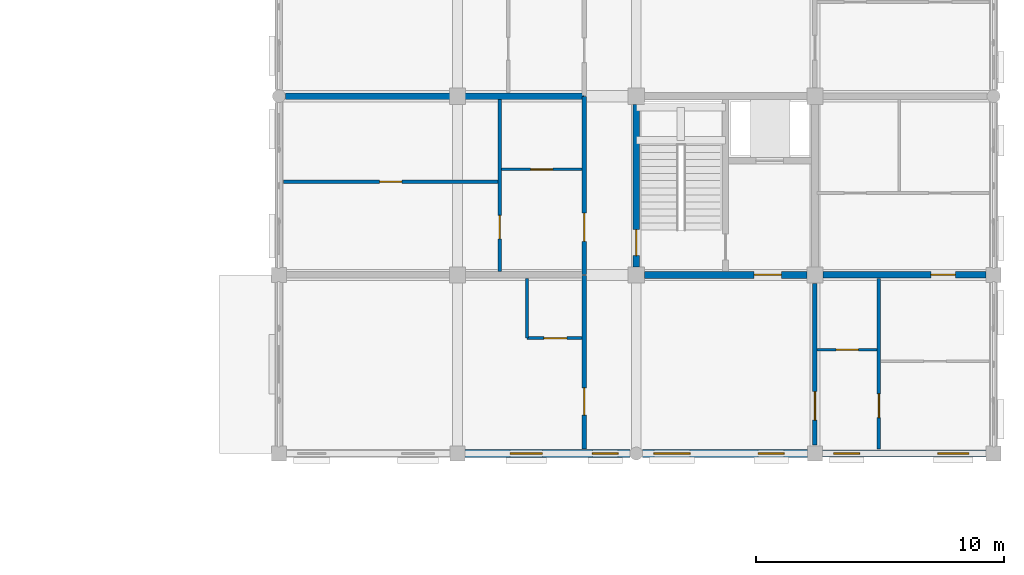
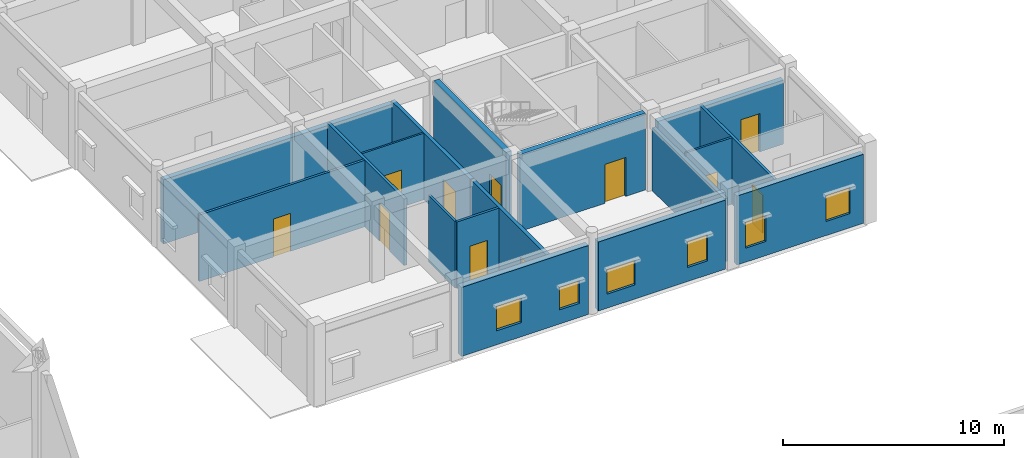
# One storey, part 110 of 138: 17 walls, 12 doors, 6 windows, 18 openings.
"""IFC4 building model written with IfcOpenShell, lengths in metres."""

from ifc_helpers import new_model, si_unit, direction, frame, frame_2d, origin, place, context, subcontext, project, spatial, rectangle, extrude, material, layer, layer_set, type_object, element, fill, save


model = new_model("IFC4")

# Units and contexts
model_context = context("Model", 3, precision=1e-05, world=origin(), true_north=direction((0.0, 1.0)))
body_context = subcontext(model_context, "Body", "Model", "MODEL_VIEW")
ifc_project = project(units=[si_unit("LENGTHUNIT", "METRE"), si_unit("AREAUNIT", "SQUARE_METRE"), si_unit("VOLUMEUNIT", "CUBIC_METRE"), si_unit("PLANEANGLEUNIT", "RADIAN"), si_unit("MASSUNIT", "GRAM", prefix="KILO"), si_unit("THERMODYNAMICTEMPERATUREUNIT", "KELVIN"), si_unit("POWERUNIT", "WATT")], contexts=[model_context])

# Site, building, storey
site_placement = place(None, origin())
site = spatial("IfcSite", under=ifc_project, at=site_placement, CompositionType="ELEMENT")
building_placement = place(site_placement, origin())
building = spatial("IfcBuilding", under=site, at=building_placement, Name="Tavuni Mirador Residences", CompositionType="ELEMENT")
storey_placement = place(building_placement, origin())
storey = spatial("IfcBuildingStorey", under=building, at=storey_placement, Name="L00", CompositionType="ELEMENT", Elevation=0.0)

# Wall, opening, door
ifc_material_1 = material(Name="Precast concrete C40/50", Category="concrete")
ifc_layer_1 = layer(ifc_material_1, 0.280029296875, Name="Precast concrete C40/50", Category="concrete")
ifc_layer_set_1 = layer_set([ifc_layer_1], Name="Precast concrete C40/50")
wall_type_1 = type_object("IfcWallType", Name="WT-COR280", PredefinedType="SHEAR", material=ifc_layer_set_1)
wall_1_placement = place(storey_placement, frame((104.39990234375, 93.925048828125, 0.0), z_axis=(0.0, 0.0, 1.0), x_axis=(0.0, 1.0, 0.0)))
wall_1 = element("IfcWall", 1, at=wall_1_placement, inside=storey, type_object=wall_type_1, Name="CWALL-C7-L00-W", PredefinedType="SHEAR", context=body_context, shape_type="SweptSolid", body=[
    extrude(rectangle(XDim=6.550048828125, YDim=0.280029296875, at=frame_2d((3.27490234375, 0.0))), origin(), (0.0, 0.0, 1.0), 4.239990234375),
])
opening_1_placement = place(wall_1_placement, frame((0.449951171875, 0.0, 0.0)))
opening_1 = element("IfcOpeningElement", 2, at=opening_1_placement, cuts=wall_1, Name="Opening D-01", PredefinedType="OPENING", context=body_context, shape_type="SweptSolid", body=[
    extrude(rectangle(XDim=1.050048828125, YDim=2.14990234375, at=frame_2d((0.52490234375, 1.074951171875))), frame((0.0, 0.14990234375, 0.0), z_axis=(0.0, -1.0, 0.0), x_axis=(1.0, 0.0, 0.0)), (0.0, 0.0, 1.0), 0.300048828125),
])
ifc_material_2 = material(Name="Solid core iroko timber", Category="wood")
door_type_1 = type_object("IfcDoorType", Name="DT-ST1050", OperationType="NOTDEFINED", PredefinedType="DOOR", material=ifc_material_2)
door_1_placement = place(opening_1_placement, origin())
door_1 = element("IfcDoor", 3, at=door_1_placement, inside=storey, type_object=door_type_1, Name="DR-2265", OperationType="SINGLE_SWING_RIGHT", OverallHeight=2.14990234375, OverallWidth=1.050048828125, PredefinedType="DOOR", context=body_context, shape_type="SweptSolid", body=[
    extrude(rectangle(XDim=1.050048828125, YDim=2.14990234375, at=frame_2d((0.52490234375, 1.074951171875))), frame((0.0, 0.02490234375, 0.0), z_axis=(0.0, -1.0, 0.0), x_axis=(1.0, 0.0, 0.0)), (0.0, 0.0, 1.0), 0.050048828125),
])
fill(opening_1, door_1)

wall_2_placement = place(storey_placement, frame((104.72509765625, 93.60009765625, 0.0), z_axis=(0.0, 0.0, 1.0), x_axis=(1.0, 0.0, 0.0)))
wall_2 = element("IfcWall", 4, at=wall_2_placement, inside=storey, type_object=wall_type_1, Name="CWALL-C7-L00-SS", PredefinedType="SHEAR", context=body_context, shape_type="SweptSolid", body=[
    extrude(rectangle(XDim=6.5498046875, YDim=0.280029296875, at=frame_2d((3.27490234375, 0.0))), origin(), (0.0, 0.0, 1.0), 4.239990234375),
])
opening_2_placement = place(wall_2_placement, frame((4.425048828125, 0.0, 0.0)))
opening_2 = element("IfcOpeningElement", 5, at=opening_2_placement, cuts=wall_2, Name="Opening D-02", PredefinedType="OPENING", context=body_context, shape_type="SweptSolid", body=[
    extrude(rectangle(XDim=1.10009765625, YDim=2.14990234375, at=frame_2d((0.550048828125, 1.074951171875))), frame((0.0, 0.14990234375, 0.0), z_axis=(0.0, -1.0, 0.0), x_axis=(1.0, 0.0, 0.0)), (0.0, 0.0, 1.0), 0.300048828125),
])
door_type_2 = type_object("IfcDoorType", Name="DT-LOB1100", OperationType="NOTDEFINED", PredefinedType="DOOR", material=ifc_material_2)
door_2_placement = place(opening_2_placement, frame((1.10009765625, 0.0, 0.0), z_axis=(0.0, 0.0, 1.0), x_axis=(-1.0, 0.0, 0.0)))
door_2 = element("IfcDoor", 6, at=door_2_placement, inside=storey, type_object=door_type_2, Name="DR-2266", OperationType="SINGLE_SWING_RIGHT", OverallHeight=2.14990234375, OverallWidth=1.10009765625, PredefinedType="DOOR", context=body_context, shape_type="SweptSolid", body=[
    extrude(rectangle(XDim=1.10009765625, YDim=2.14990234375, at=frame_2d((0.550048828125, 1.074951171875))), frame((0.0, 0.02490234375, 0.0), z_axis=(0.0, -1.0, 0.0), x_axis=(1.0, 0.0, 0.0)), (0.0, 0.0, 1.0), 0.050048828125),
])
fill(opening_2, door_2)

ifc_layer_2 = layer(ifc_material_1, 0.18505859375, Name="Precast concrete C40/50", Category="concrete")
ifc_layer_set_2 = layer_set([ifc_layer_2], Name="Precast concrete C40/50")
wall_type_2 = type_object("IfcWallType", Name="WT-CORR185", PredefinedType="PARTITIONING", material=ifc_layer_set_2)
wall_3_placement = place(storey_placement, frame((102.300048828125, 86.574951171875, 0.0), z_axis=(0.0, 0.0, 1.0), x_axis=(0.0, 1.0, 0.0)))
wall_3 = element("IfcWall", 7, at=wall_3_placement, inside=storey, type_object=wall_type_2, Name="CORW-BLK-D-L00-0-00", PredefinedType="PARTITIONING", context=body_context, shape_type="SweptSolid", body=[
    extrude(rectangle(XDim=7.005126953125, YDim=0.18505859375, at=frame_2d((3.50244140625, 0.0))), origin(), (0.0, 0.0, 1.0), 3.675048828125),
])
opening_3_placement = place(wall_3_placement, frame((1.375, 0.0, 0.0)))
opening_3 = element("IfcOpeningElement", 8, at=opening_3_placement, cuts=wall_3, Name="Opening D-02", PredefinedType="OPENING", context=body_context, shape_type="SweptSolid", body=[
    extrude(rectangle(XDim=1.10009765625, YDim=2.14990234375, at=frame_2d((0.550048828125, 1.074951171875))), frame((0.0, 0.1025390625, 0.0), z_axis=(0.0, -1.0, 0.0), x_axis=(1.0, 0.0, 0.0)), (0.0, 0.0, 1.0), 0.205078125),
])
door_3_placement = place(opening_3_placement, origin())
door_3 = element("IfcDoor", 9, at=door_3_placement, inside=storey, type_object=door_type_2, Name="DR-2809", OperationType="SINGLE_SWING_RIGHT", OverallHeight=2.14990234375, OverallWidth=1.10009765625, PredefinedType="DOOR", context=body_context, shape_type="SweptSolid", body=[
    extrude(rectangle(XDim=1.10009765625, YDim=2.14990234375, at=frame_2d((0.550048828125, 1.074951171875))), frame((0.0, 0.02490234375, 0.0), z_axis=(0.0, -1.0, 0.0), x_axis=(1.0, 0.0, 0.0)), (0.0, 0.0, 1.0), 0.050048828125),
])
fill(opening_3, door_3)

wall_4_placement = place(storey_placement, frame((102.300048828125, 93.6201171875, 0.0), z_axis=(0.0, 0.0, 1.0), x_axis=(0.0, 1.0, 0.0)))
wall_4 = element("IfcWall", 10, at=wall_4_placement, inside=storey, type_object=wall_type_2, Name="CORW-BLK-D-L00-0-01", PredefinedType="PARTITIONING", context=body_context, shape_type="SweptSolid", body=[
    extrude(rectangle(XDim=7.159912109375, YDim=0.18505859375, at=frame_2d((3.580078125, 0.0))), origin(), (0.0, 0.0, 1.0), 3.675048828125),
])
opening_4_placement = place(wall_4_placement, frame((1.330078125, 0.0, 0.0)))
opening_4 = element("IfcOpeningElement", 11, at=opening_4_placement, cuts=wall_4, Name="Opening D-20", PredefinedType="OPENING", context=body_context, shape_type="SweptSolid", body=[
    extrude(rectangle(XDim=1.139892578125, YDim=2.179931640625, at=frame_2d((0.56982421875, 1.08984375))), frame((0.0, 0.1025390625, 0.0), z_axis=(0.0, -1.0, 0.0), x_axis=(1.0, 0.0, 0.0)), (0.0, 0.0, 1.0), 0.205078125),
])
door_type_3 = type_object("IfcDoorType", Name="DT-FD60-1140", OperationType="NOTDEFINED", PredefinedType="DOOR", material=ifc_material_2)
door_4_placement = place(opening_4_placement, origin())
door_4 = element("IfcDoor", 12, at=door_4_placement, inside=storey, type_object=door_type_3, Name="DR-2810", OperationType="SINGLE_SWING_LEFT", OverallHeight=2.179931640625, OverallWidth=1.139892578125, PredefinedType="DOOR", context=body_context, shape_type="SweptSolid", body=[
    extrude(rectangle(XDim=1.139892578125, YDim=2.179931640625, at=frame_2d((0.56982421875, 1.08984375))), frame((0.0, 0.02490234375, 0.0), z_axis=(0.0, -1.0, 0.0), x_axis=(1.0, 0.0, 0.0)), (0.0, 0.0, 1.0), 0.050048828125),
])
fill(opening_4, door_4)

wall_5_placement = place(storey_placement, frame((111.60009765625, 86.75, 0.0), z_axis=(0.0, 0.0, 1.0), x_axis=(0.0, 1.0, 0.0)))
wall_5 = element("IfcWall", 13, at=wall_5_placement, inside=storey, type_object=wall_type_2, Name="CORW-BLK-D-L00-1-00", PredefinedType="PARTITIONING", context=body_context, shape_type="SweptSolid", body=[
    extrude(rectangle(XDim=6.5, YDim=0.18505859375, at=frame_2d((3.25, 0.0))), origin(), (0.0, 0.0, 1.0), 3.489990234375),
])
opening_5_placement = place(wall_5_placement, frame((1.0, 0.0, 0.0)))
opening_5 = element("IfcOpeningElement", 14, at=opening_5_placement, cuts=wall_5, Name="Opening D-20", PredefinedType="OPENING", context=body_context, shape_type="SweptSolid", body=[
    extrude(rectangle(XDim=1.139892578125, YDim=2.179931640625, at=frame_2d((0.56982421875, 1.08984375))), frame((0.0, 0.1025390625, 0.0), z_axis=(0.0, -1.0, 0.0), x_axis=(1.0, 0.0, 0.0)), (0.0, 0.0, 1.0), 0.205078125),
])
door_5_placement = place(opening_5_placement, origin())
door_5 = element("IfcDoor", 15, at=door_5_placement, inside=storey, type_object=door_type_3, Name="DR-2816", OperationType="SINGLE_SWING_LEFT", OverallHeight=2.179931640625, OverallWidth=1.139892578125, PredefinedType="DOOR", context=body_context, shape_type="SweptSolid", body=[
    extrude(rectangle(XDim=1.139892578125, YDim=2.179931640625, at=frame_2d((0.56982421875, 1.08984375))), frame((0.0, 0.02490234375, 0.0), z_axis=(0.0, -1.0, 0.0), x_axis=(1.0, 0.0, 0.0)), (0.0, 0.0, 1.0), 0.050048828125),
])
fill(opening_5, door_5)

# Wall, openings, windows
ifc_material_3 = material(Name="Sgraffito lime-rendered precast concrete C40/50", Category="concrete")
ifc_layer_3 = layer(ifc_material_3, 0.2900390625, Name="Sgraffito lime-rendered precast concrete C40/50", Category="concrete")
ifc_layer_set_3 = layer_set([ifc_layer_3], Name="Sgraffito lime-rendered precast concrete C40/50")
wall_type_3 = type_object("IfcWallType", Name="WT-EXT-PC290", PredefinedType="SOLIDWALL", material=ifc_layer_set_3)
wall_6_placement = place(storey_placement, frame((111.89990234375, 86.39990234375, 0.0), z_axis=(0.0, 0.0, 1.0), x_axis=(1.0, 0.0, 0.0)))
wall_6 = element("IfcWall", 16, at=wall_6_placement, inside=storey, type_object=wall_type_3, Name="EW-BLK-D-L00-S03", PredefinedType="SOLIDWALL", context=body_context, shape_type="SweptSolid", body=[
    extrude(rectangle(XDim=6.60009765625, YDim=0.2900390625, at=frame_2d((3.300048828125, 0.0))), origin(), (0.0, 0.0, 1.0), 3.81005859375),
])
opening_6_placement = place(wall_6_placement, frame((0.449951171875, 0.0, 0.780029296875)))
opening_6 = element("IfcOpeningElement", 17, at=opening_6_placement, cuts=wall_6, Name="Opening WN-26", PredefinedType="OPENING", context=body_context, shape_type="SweptSolid", body=[
    extrude(rectangle(XDim=1.050048828125, YDim=1.43994140625, at=frame_2d((0.52490234375, 0.719970703125))), frame((0.0, 0.155029296875, 0.0), z_axis=(0.0, -1.0, 0.0), x_axis=(1.0, 0.0, 0.0)), (0.0, 0.0, 1.0), 0.31005859375),
])
opening_7_placement = place(wall_6_placement, frame((4.64990234375, 0.0, 0.780029296875)))
opening_7 = element("IfcOpeningElement", 18, at=opening_7_placement, cuts=wall_6, Name="Opening WN-28", PredefinedType="OPENING", context=body_context, shape_type="SweptSolid", body=[
    extrude(rectangle(XDim=1.25, YDim=1.43994140625, at=frame_2d((0.625, 0.719970703125))), frame((0.0, 0.155029296875, 0.0), z_axis=(0.0, -1.0, 0.0), x_axis=(1.0, 0.0, 0.0)), (0.0, 0.0, 1.0), 0.31005859375),
])
ifc_material_4 = material(Name="Laminated solar-control glass", Category="glass")
window_type_1 = type_object("IfcWindowType", Name="WNT-26", PartitioningType="SINGLE_PANEL", PredefinedType="WINDOW", material=ifc_material_4)
window_1_placement = place(opening_6_placement, origin())
window_1 = element("IfcWindow", 19, at=window_1_placement, inside=storey, type_object=window_type_1, Name="WIN-1405", OverallHeight=1.43994140625, OverallWidth=1.050048828125, PartitioningType="SINGLE_PANEL", PredefinedType="WINDOW", context=body_context, shape_type="SweptSolid", body=[
    extrude(rectangle(XDim=1.050048828125, YDim=1.43994140625, at=frame_2d((0.52490234375, 0.719970703125))), frame((0.0, 0.030029296875, 0.0), z_axis=(0.0, -1.0, 0.0), x_axis=(1.0, 0.0, 0.0)), (0.0, 0.0, 1.0), 0.06005859375),
])
fill(opening_6, window_1)
window_type_2 = type_object("IfcWindowType", Name="WNT-28", PartitioningType="SINGLE_PANEL", PredefinedType="WINDOW", material=ifc_material_4)
window_2_placement = place(opening_7_placement, origin())
window_2 = element("IfcWindow", 20, at=window_2_placement, inside=storey, type_object=window_type_2, Name="WIN-1406", OverallHeight=1.43994140625, OverallWidth=1.25, PartitioningType="SINGLE_PANEL", PredefinedType="WINDOW", context=body_context, shape_type="SweptSolid", body=[
    extrude(rectangle(XDim=1.25, YDim=1.43994140625, at=frame_2d((0.625, 0.719970703125))), frame((0.0, 0.030029296875, 0.0), z_axis=(0.0, -1.0, 0.0), x_axis=(1.0, 0.0, 0.0)), (0.0, 0.0, 1.0), 0.06005859375),
])
fill(opening_7, window_2)

ifc_layer_4 = layer(ifc_material_3, 0.304931640625, Name="Sgraffito lime-rendered precast concrete C40/50", Category="concrete")
ifc_layer_set_4 = layer_set([ifc_layer_4], Name="Sgraffito lime-rendered precast concrete C40/50")
wall_type_4 = type_object("IfcWallType", Name="WT-EXT-PC305", PredefinedType="SOLIDWALL", material=ifc_layer_set_4)
wall_7_placement = place(storey_placement, frame((104.659912109375, 86.39990234375, 0.0), z_axis=(0.0, 0.0, 1.0), x_axis=(1.0, 0.0, 0.0)))
wall_7 = element("IfcWall", 21, at=wall_7_placement, inside=storey, type_object=wall_type_4, Name="EW-BLK-D-L00-S02", PredefinedType="SOLIDWALL", context=body_context, shape_type="SweptSolid", body=[
    extrude(rectangle(XDim=6.64013671875, YDim=0.304931640625, at=frame_2d((3.320068359375, 0.0))), origin(), (0.0, 0.0, 1.0), 3.81005859375),
])
opening_8_placement = place(wall_7_placement, frame((0.449951171875, 0.0, 0.780029296875)))
opening_8 = element("IfcOpeningElement", 22, at=opening_8_placement, cuts=wall_7, Name="Opening WN-24", PredefinedType="OPENING", context=body_context, shape_type="SweptSolid", body=[
    extrude(rectangle(XDim=1.4599609375, YDim=1.360107421875, at=frame_2d((0.72998046875, 0.68017578125))), frame((0.0, 0.16259765625, 0.0), z_axis=(0.0, -1.0, 0.0), x_axis=(1.0, 0.0, 0.0)), (0.0, 0.0, 1.0), 0.324951171875),
])
opening_9_placement = place(wall_7_placement, frame((4.64990234375, 0.0, 0.780029296875)))
opening_9 = element("IfcOpeningElement", 23, at=opening_9_placement, cuts=wall_7, Name="Opening WN-26", PredefinedType="OPENING", context=body_context, shape_type="SweptSolid", body=[
    extrude(rectangle(XDim=1.050048828125, YDim=1.43994140625, at=frame_2d((0.52490234375, 0.719970703125))), frame((0.0, 0.16259765625, 0.0), z_axis=(0.0, -1.0, 0.0), x_axis=(1.0, 0.0, 0.0)), (0.0, 0.0, 1.0), 0.324951171875),
])
window_type_3 = type_object("IfcWindowType", Name="WNT-24", PartitioningType="SINGLE_PANEL", PredefinedType="WINDOW", material=ifc_material_4)
window_3_placement = place(opening_8_placement, origin())
window_3 = element("IfcWindow", 24, at=window_3_placement, inside=storey, type_object=window_type_3, Name="WIN-1403", OverallHeight=1.360107421875, OverallWidth=1.4599609375, PartitioningType="SINGLE_PANEL", PredefinedType="WINDOW", context=body_context, shape_type="SweptSolid", body=[
    extrude(rectangle(XDim=1.4599609375, YDim=1.360107421875, at=frame_2d((0.72998046875, 0.68017578125))), frame((0.0, 0.030029296875, 0.0), z_axis=(0.0, -1.0, 0.0), x_axis=(1.0, 0.0, 0.0)), (0.0, 0.0, 1.0), 0.06005859375),
])
fill(opening_8, window_3)
window_4_placement = place(opening_9_placement, origin())
window_4 = element("IfcWindow", 25, at=window_4_placement, inside=storey, type_object=window_type_1, Name="WIN-1404", OverallHeight=1.43994140625, OverallWidth=1.050048828125, PartitioningType="SINGLE_PANEL", PredefinedType="WINDOW", context=body_context, shape_type="SweptSolid", body=[
    extrude(rectangle(XDim=1.050048828125, YDim=1.43994140625, at=frame_2d((0.52490234375, 0.719970703125))), frame((0.0, 0.030029296875, 0.0), z_axis=(0.0, -1.0, 0.0), x_axis=(1.0, 0.0, 0.0)), (0.0, 0.0, 1.0), 0.06005859375),
])
fill(opening_9, window_4)

ifc_layer_5 = layer(ifc_material_3, 0.31494140625, Name="Sgraffito lime-rendered precast concrete C40/50", Category="concrete")
ifc_layer_set_5 = layer_set([ifc_layer_5], Name="Sgraffito lime-rendered precast concrete C40/50")
wall_type_5 = type_object("IfcWallType", Name="WT-EXT-PC315", PredefinedType="SOLIDWALL", material=ifc_layer_set_5)
wall_8_placement = place(storey_placement, frame((97.5, 86.39990234375, 0.0), z_axis=(0.0, 0.0, 1.0), x_axis=(1.0, 0.0, 0.0)))
wall_8 = element("IfcWall", 26, at=wall_8_placement, inside=storey, type_object=wall_type_5, Name="EW-BLK-D-L00-S01", PredefinedType="SOLIDWALL", context=body_context, shape_type="SweptSolid", body=[
    extrude(rectangle(XDim=6.639892578125, YDim=0.31494140625, at=frame_2d((3.31982421875, 0.0))), origin(), (0.0, 0.0, 1.0), 3.81005859375),
])
opening_10_placement = place(wall_8_placement, frame((1.820068359375, 0.0, 0.780029296875)))
opening_10 = element("IfcOpeningElement", 27, at=opening_10_placement, cuts=wall_8, Name="Opening WN-22", PredefinedType="OPENING", context=body_context, shape_type="SweptSolid", body=[
    extrude(rectangle(XDim=1.300048828125, YDim=1.360107421875, at=frame_2d((0.64990234375, 0.68017578125))), frame((0.0, 0.16748046875, 0.0), z_axis=(0.0, -1.0, 0.0), x_axis=(1.0, 0.0, 0.0)), (0.0, 0.0, 1.0), 0.3349609375),
])
opening_11_placement = place(wall_8_placement, frame((5.1298828125, 0.0, 0.780029296875)))
opening_11 = element("IfcOpeningElement", 28, at=opening_11_placement, cuts=wall_8, Name="Opening WN-11", PredefinedType="OPENING", context=body_context, shape_type="SweptSolid", body=[
    extrude(rectangle(XDim=1.0400390625, YDim=1.260009765625, at=frame_2d((0.52001953125, 0.6298828125))), frame((0.0, 0.16748046875, 0.0), z_axis=(0.0, -1.0, 0.0), x_axis=(1.0, 0.0, 0.0)), (0.0, 0.0, 1.0), 0.3349609375),
])
window_type_4 = type_object("IfcWindowType", Name="WNT-11", PartitioningType="SINGLE_PANEL", PredefinedType="WINDOW", material=ifc_material_4)
window_5_placement = place(opening_11_placement, origin())
window_5 = element("IfcWindow", 29, at=window_5_placement, inside=storey, type_object=window_type_4, Name="WIN-1402", OverallHeight=1.260009765625, OverallWidth=1.0400390625, PartitioningType="SINGLE_PANEL", PredefinedType="WINDOW", context=body_context, shape_type="SweptSolid", body=[
    extrude(rectangle(XDim=1.0400390625, YDim=1.260009765625, at=frame_2d((0.52001953125, 0.6298828125))), frame((0.0, 0.030029296875, 0.0), z_axis=(0.0, -1.0, 0.0), x_axis=(1.0, 0.0, 0.0)), (0.0, 0.0, 1.0), 0.06005859375),
])
fill(opening_11, window_5)
window_type_5 = type_object("IfcWindowType", Name="WNT-22", PartitioningType="SINGLE_PANEL", PredefinedType="WINDOW", material=ifc_material_4)
window_6_placement = place(opening_10_placement, origin())
window_6 = element("IfcWindow", 30, at=window_6_placement, inside=storey, type_object=window_type_5, Name="WIN-1401", OverallHeight=1.360107421875, OverallWidth=1.300048828125, PartitioningType="SINGLE_PANEL", PredefinedType="WINDOW", context=body_context, shape_type="SweptSolid", body=[
    extrude(rectangle(XDim=1.300048828125, YDim=1.360107421875, at=frame_2d((0.64990234375, 0.68017578125))), frame((0.0, 0.030029296875, 0.0), z_axis=(0.0, -1.0, 0.0), x_axis=(1.0, 0.0, 0.0)), (0.0, 0.0, 1.0), 0.06005859375),
])
fill(opening_10, window_6)

# Wall, opening, door
ifc_material_5 = material(Name="Acoustic gypsum and concrete block partition", Category="concrete")
ifc_layer_6 = layer(ifc_material_5, 0.094970703125, Name="Acoustic gypsum and concrete block partition", Category="concrete")
ifc_layer_set_6 = layer_set([ifc_layer_6], Name="Acoustic gypsum and concrete block partition")
wall_type_6 = type_object("IfcWallType", Name="WT-PART095", PredefinedType="PARTITIONING", material=ifc_layer_set_6)
wall_9_placement = place(storey_placement, frame((98.969970703125, 97.85009765625, 0.0), z_axis=(0.0, 0.0, 1.0), x_axis=(1.0, 0.0, 0.0)))
wall_9 = element("IfcWall", 31, at=wall_9_placement, inside=storey, type_object=wall_type_6, Name="PW-BLK-D-L00-W01-IN1", PredefinedType="PARTITIONING", context=body_context, shape_type="SweptSolid", body=[
    extrude(rectangle(XDim=3.239990234375, YDim=0.094970703125, at=frame_2d((1.6201171875, 0.0))), origin(), (0.0, 0.0, 1.0), 3.675048828125),
])
opening_12_placement = place(wall_9_placement, frame((1.169921875, 0.0, 0.0)))
opening_12 = element("IfcOpeningElement", 32, at=opening_12_placement, cuts=wall_9, Name="Opening D-09", PredefinedType="OPENING", context=body_context, shape_type="SweptSolid", body=[
    extrude(rectangle(XDim=0.89990234375, YDim=2.050048828125, at=frame_2d((0.449951171875, 1.02490234375))), frame((0.0, 0.0576171875, 0.0), z_axis=(0.0, -1.0, 0.0), x_axis=(1.0, 0.0, 0.0)), (0.0, 0.0, 1.0), 0.114990234375),
])
door_type_4 = type_object("IfcDoorType", Name="DT-WC900", OperationType="NOTDEFINED", PredefinedType="DOOR", material=ifc_material_2)
door_6_placement = place(opening_12_placement, origin())
door_6 = element("IfcDoor", 33, at=door_6_placement, inside=storey, type_object=door_type_4, Name="DR-4285", OperationType="SINGLE_SWING_RIGHT", OverallHeight=2.050048828125, OverallWidth=0.89990234375, PredefinedType="DOOR", context=body_context, shape_type="SweptSolid", body=[
    extrude(rectangle(XDim=0.89990234375, YDim=2.050048828125, at=frame_2d((0.449951171875, 1.02490234375))), frame((0.0, 0.02490234375, 0.0), z_axis=(0.0, -1.0, 0.0), x_axis=(1.0, 0.0, 0.0)), (0.0, 0.0, 1.0), 0.050048828125),
])
fill(opening_12, door_6)

ifc_layer_7 = layer(ifc_material_5, 0.10498046875, Name="Acoustic gypsum and concrete block partition", Category="concrete")
ifc_layer_set_7 = layer_set([ifc_layer_7], Name="Acoustic gypsum and concrete block partition")
wall_type_7 = type_object("IfcWallType", Name="WT-PART105", PredefinedType="PARTITIONING", material=ifc_layer_set_7)
wall_10_placement = place(storey_placement, frame((111.68994140625, 90.580078125, 0.0), z_axis=(0.0, 0.0, 1.0), x_axis=(1.0, 0.0, 0.0)))
wall_10 = element("IfcWall", 34, at=wall_10_placement, inside=storey, type_object=wall_type_7, Name="PW-BLK-D-L00-E00-IN1", PredefinedType="PARTITIONING", context=body_context, shape_type="SweptSolid", body=[
    extrude(rectangle(XDim=2.420166015625, YDim=0.10498046875, at=frame_2d((1.2099609375, 0.0))), origin(), (0.0, 0.0, 1.0), 3.675048828125),
])
opening_13_placement = place(wall_10_placement, frame((0.760009765625, 0.0, 0.0)))
opening_13 = element("IfcOpeningElement", 35, at=opening_13_placement, cuts=wall_10, Name="Opening D-09", PredefinedType="OPENING", context=body_context, shape_type="SweptSolid", body=[
    extrude(rectangle(XDim=0.89990234375, YDim=2.050048828125, at=frame_2d((0.449951171875, 1.02490234375))), frame((0.0, 0.0625, 0.0), z_axis=(0.0, -1.0, 0.0), x_axis=(1.0, 0.0, 0.0)), (0.0, 0.0, 1.0), 0.125),
])
door_7_placement = place(opening_13_placement, origin())
door_7 = element("IfcDoor", 36, at=door_7_placement, inside=storey, type_object=door_type_4, Name="DR-4282", OperationType="SINGLE_SWING_RIGHT", OverallHeight=2.050048828125, OverallWidth=0.89990234375, PredefinedType="DOOR", context=body_context, shape_type="SweptSolid", body=[
    extrude(rectangle(XDim=0.89990234375, YDim=2.050048828125, at=frame_2d((0.449951171875, 1.02490234375))), frame((0.0, 0.02490234375, 0.0), z_axis=(0.0, -1.0, 0.0), x_axis=(1.0, 0.0, 0.0)), (0.0, 0.0, 1.0), 0.050048828125),
])
fill(opening_13, door_7)

# Wall
ifc_layer_8 = layer(ifc_material_5, 0.114990234375, Name="Acoustic gypsum and concrete block partition", Category="concrete")
ifc_layer_set_8 = layer_set([ifc_layer_8], Name="Acoustic gypsum and concrete block partition")
wall_type_8 = type_object("IfcWallType", Name="WT-PART115", PredefinedType="PARTITIONING", material=ifc_layer_set_8)
wall_11_placement = place(storey_placement, frame((100.0, 91.050048828125, 0.0), z_axis=(0.0, 0.0, 1.0), x_axis=(0.0, 1.0, 0.0)))
element("IfcWall", 37, at=wall_11_placement, inside=storey, type_object=wall_type_8, Name="PW-BLK-D-L00-W00-1", PredefinedType="PARTITIONING", context=body_context, shape_type="SweptSolid", body=[
    extrude(rectangle(XDim=2.409912109375, YDim=0.114990234375, at=frame_2d((1.205078125, 0.0))), origin(), (0.0, 0.0, 1.0), 3.675048828125),
])

# Wall, opening, door
ifc_layer_9 = layer(ifc_material_5, 0.125, Name="Acoustic gypsum and concrete block partition", Category="concrete")
ifc_layer_set_9 = layer_set([ifc_layer_9], Name="Acoustic gypsum and concrete block partition")
wall_type_9 = type_object("IfcWallType", Name="WT-PART125", PredefinedType="PARTITIONING", material=ifc_layer_set_9)
wall_12_placement = place(storey_placement, frame((100.0, 91.050048828125, 0.0), z_axis=(0.0, 0.0, 1.0), x_axis=(1.0, 0.0, 0.0)))
wall_12 = element("IfcWall", 38, at=wall_12_placement, inside=storey, type_object=wall_type_9, Name="PW-BLK-D-L00-W00-2", PredefinedType="PARTITIONING", context=body_context, shape_type="SweptSolid", body=[
    extrude(rectangle(XDim=2.2099609375, YDim=0.125, at=frame_2d((1.10498046875, 0.0))), origin(), (0.0, 0.0, 1.0), 3.675048828125),
])
opening_14_placement = place(wall_12_placement, frame((0.679931640625, 0.0, 0.0)))
opening_14 = element("IfcOpeningElement", 39, at=opening_14_placement, cuts=wall_12, Name="Opening D-06", PredefinedType="OPENING", context=body_context, shape_type="SweptSolid", body=[
    extrude(rectangle(XDim=0.919921875, YDim=2.10009765625, at=frame_2d((0.4599609375, 1.050048828125))), frame((0.0, 0.072509765625, 0.0), z_axis=(0.0, -1.0, 0.0), x_axis=(1.0, 0.0, 0.0)), (0.0, 0.0, 1.0), 0.14501953125),
])
door_type_5 = type_object("IfcDoorType", Name="DT-INT920", OperationType="NOTDEFINED", PredefinedType="DOOR", material=ifc_material_2)
door_8_placement = place(opening_14_placement, origin())
door_8 = element("IfcDoor", 40, at=door_8_placement, inside=storey, type_object=door_type_5, Name="DR-4280", OperationType="SINGLE_SWING_LEFT", OverallHeight=2.10009765625, OverallWidth=0.919921875, PredefinedType="DOOR", context=body_context, shape_type="SweptSolid", body=[
    extrude(rectangle(XDim=0.919921875, YDim=2.10009765625, at=frame_2d((0.4599609375, 1.050048828125))), frame((0.0, 0.02490234375, 0.0), z_axis=(0.0, -1.0, 0.0), x_axis=(1.0, 0.0, 0.0)), (0.0, 0.0, 1.0), 0.050048828125),
])
fill(opening_14, door_8)

wall_13_placement = place(storey_placement, frame((90.175048828125, 97.35009765625, 0.0), z_axis=(0.0, 0.0, 1.0), x_axis=(1.0, 0.0, 0.0)))
wall_13 = element("IfcWall", 41, at=wall_13_placement, inside=storey, type_object=wall_type_9, Name="PW-BLK-D-L00-W01-OUT", PredefinedType="PARTITIONING", context=body_context, shape_type="SweptSolid", body=[
    extrude(rectangle(XDim=8.655029296875, YDim=0.125, at=frame_2d((4.32763671875, 0.0))), origin(), (0.0, 0.0, 1.0), 3.675048828125),
])
opening_15_placement = place(wall_13_placement, frame((3.87744140625, 0.0, 0.0)))
opening_15 = element("IfcOpeningElement", 42, at=opening_15_placement, cuts=wall_13, Name="Opening D-07", PredefinedType="OPENING", context=body_context, shape_type="SweptSolid", body=[
    extrude(rectangle(XDim=0.89990234375, YDim=2.10009765625, at=frame_2d((0.449951171875, 1.050048828125))), frame((0.0, 0.072509765625, 0.0), z_axis=(0.0, -1.0, 0.0), x_axis=(1.0, 0.0, 0.0)), (0.0, 0.0, 1.0), 0.14501953125),
])
door_type_6 = type_object("IfcDoorType", Name="DT-BED900", OperationType="NOTDEFINED", PredefinedType="DOOR", material=ifc_material_2)
door_9_placement = place(opening_15_placement, origin())
door_9 = element("IfcDoor", 43, at=door_9_placement, inside=storey, type_object=door_type_6, Name="DR-4284", OperationType="SINGLE_SWING_LEFT", OverallHeight=2.10009765625, OverallWidth=0.89990234375, PredefinedType="DOOR", context=body_context, shape_type="SweptSolid", body=[
    extrude(rectangle(XDim=0.89990234375, YDim=2.10009765625, at=frame_2d((0.449951171875, 1.050048828125))), frame((0.0, 0.02490234375, 0.0), z_axis=(0.0, -1.0, 0.0), x_axis=(1.0, 0.0, 0.0)), (0.0, 0.0, 1.0), 0.050048828125),
])
fill(opening_15, door_9)

ifc_layer_10 = layer(ifc_material_5, 0.139892578125, Name="Acoustic gypsum and concrete block partition", Category="concrete")
ifc_layer_set_10 = layer_set([ifc_layer_10], Name="Acoustic gypsum and concrete block partition")
wall_type_10 = type_object("IfcWallType", Name="WT-PART140", PredefinedType="PARTITIONING", material=ifc_layer_set_10)
wall_14_placement = place(storey_placement, frame((114.179931640625, 86.574951171875, 0.0), z_axis=(0.0, 0.0, 1.0), x_axis=(0.0, 1.0, 0.0)))
wall_14 = element("IfcWall", 44, at=wall_14_placement, inside=storey, type_object=wall_type_10, Name="PW-BLK-D-L00-E00-MID", PredefinedType="PARTITIONING", context=body_context, shape_type="SweptSolid", body=[
    extrude(rectangle(XDim=6.885009765625, YDim=0.139892578125, at=frame_2d((3.4423828125, 0.0))), origin(), (0.0, 0.0, 1.0), 3.675048828125),
])
opening_16_placement = place(wall_14_placement, frame((1.27490234375, 0.0, 0.0)))
opening_16 = element("IfcOpeningElement", 45, at=opening_16_placement, cuts=wall_14, Name="Opening D-05", PredefinedType="OPENING", context=body_context, shape_type="SweptSolid", body=[
    extrude(rectangle(XDim=0.949951171875, YDim=2.10009765625, at=frame_2d((0.47509765625, 1.050048828125))), frame((0.0, 0.080078125, 0.0), z_axis=(0.0, -1.0, 0.0), x_axis=(1.0, 0.0, 0.0)), (0.0, 0.0, 1.0), 0.159912109375),
])
door_type_7 = type_object("IfcDoorType", Name="DT-INT950", OperationType="NOTDEFINED", PredefinedType="DOOR", material=ifc_material_2)
door_10_placement = place(opening_16_placement, origin())
door_10 = element("IfcDoor", 46, at=door_10_placement, inside=storey, type_object=door_type_7, Name="DR-4283", OperationType="SINGLE_SWING_LEFT", OverallHeight=2.10009765625, OverallWidth=0.949951171875, PredefinedType="DOOR", context=body_context, shape_type="SweptSolid", body=[
    extrude(rectangle(XDim=0.949951171875, YDim=2.10009765625, at=frame_2d((0.47509765625, 1.050048828125))), frame((0.0, 0.02490234375, 0.0), z_axis=(0.0, -1.0, 0.0), x_axis=(1.0, 0.0, 0.0)), (0.0, 0.0, 1.0), 0.050048828125),
])
fill(opening_16, door_10)

ifc_layer_11 = layer(ifc_material_5, 0.14990234375, Name="Acoustic gypsum and concrete block partition", Category="concrete")
ifc_layer_set_11 = layer_set([ifc_layer_11], Name="Acoustic gypsum and concrete block partition")
wall_type_11 = type_object("IfcWallType", Name="WT-PART150", PredefinedType="PARTITIONING", material=ifc_layer_set_11)
wall_15_placement = place(storey_placement, frame((98.89990234375, 93.739990234375, 0.0), z_axis=(0.0, 0.0, 1.0), x_axis=(0.0, 1.0, 0.0)))
wall_15 = element("IfcWall", 47, at=wall_15_placement, inside=storey, type_object=wall_type_11, Name="PW-BLK-D-L00-W01-MID", PredefinedType="PARTITIONING", context=body_context, shape_type="SweptSolid", body=[
    extrude(rectangle(XDim=6.919921875, YDim=0.14990234375, at=frame_2d((3.4599609375, 0.0))), origin(), (0.0, 0.0, 1.0), 3.675048828125),
])
opening_17_placement = place(wall_15_placement, frame((1.31005859375, 0.0, 0.0)))
opening_17 = element("IfcOpeningElement", 48, at=opening_17_placement, cuts=wall_15, Name="Opening D-05", PredefinedType="OPENING", context=body_context, shape_type="SweptSolid", body=[
    extrude(rectangle(XDim=0.949951171875, YDim=2.10009765625, at=frame_2d((0.47509765625, 1.050048828125))), frame((0.0, 0.0849609375, 0.0), z_axis=(0.0, -1.0, 0.0), x_axis=(1.0, 0.0, 0.0)), (0.0, 0.0, 1.0), 0.169921875),
])
door_11_placement = place(opening_17_placement, origin())
door_11 = element("IfcDoor", 49, at=door_11_placement, inside=storey, type_object=door_type_7, Name="DR-4286", OperationType="SINGLE_SWING_LEFT", OverallHeight=2.10009765625, OverallWidth=0.949951171875, PredefinedType="DOOR", context=body_context, shape_type="SweptSolid", body=[
    extrude(rectangle(XDim=0.949951171875, YDim=2.10009765625, at=frame_2d((0.47509765625, 1.050048828125))), frame((0.0, 0.02490234375, 0.0), z_axis=(0.0, -1.0, 0.0), x_axis=(1.0, 0.0, 0.0)), (0.0, 0.0, 1.0), 0.050048828125),
])
fill(opening_17, door_11)

ifc_layer_12 = layer(ifc_material_1, 0.264892578125, Name="Precast concrete C40/50", Category="concrete")
ifc_layer_set_12 = layer_set([ifc_layer_12], Name="Precast concrete C40/50")
wall_type_12 = type_object("IfcWallType", Name="WT-XW265", PredefinedType="SOLIDWALL", material=ifc_layer_set_12)
wall_16_placement = place(storey_placement, frame((111.925048828125, 93.60009765625, 0.0), z_axis=(0.0, 0.0, 1.0), x_axis=(1.0, 0.0, 0.0)))
wall_16 = element("IfcWall", 50, at=wall_16_placement, inside=storey, type_object=wall_type_12, Name="XW-BLK-D-L00-E-01", PredefinedType="SOLIDWALL", context=body_context, shape_type="SweptSolid", body=[
    extrude(rectangle(XDim=6.574951171875, YDim=0.264892578125, at=frame_2d((3.28759765625, 0.0))), origin(), (0.0, 0.0, 1.0), 3.5400390625),
])
opening_18_placement = place(wall_16_placement, frame((4.35009765625, 0.0, 0.0)))
opening_18 = element("IfcOpeningElement", 51, at=opening_18_placement, cuts=wall_16, Name="Opening D-04", PredefinedType="OPENING", context=body_context, shape_type="SweptSolid", body=[
    extrude(rectangle(XDim=0.97998046875, YDim=2.1201171875, at=frame_2d((0.489990234375, 1.06005859375))), frame((0.0, 0.142578125, 0.0), z_axis=(0.0, -1.0, 0.0), x_axis=(1.0, 0.0, 0.0)), (0.0, 0.0, 1.0), 0.284912109375),
])
door_type_8 = type_object("IfcDoorType", Name="DT-FD60-980", OperationType="NOTDEFINED", PredefinedType="DOOR", material=ifc_material_2)
door_12_placement = place(opening_18_placement, origin())
door_12 = element("IfcDoor", 52, at=door_12_placement, inside=storey, type_object=door_type_8, Name="DR-4758", OperationType="SINGLE_SWING_LEFT", OverallHeight=2.1201171875, OverallWidth=0.97998046875, PredefinedType="DOOR", context=body_context, shape_type="SweptSolid", body=[
    extrude(rectangle(XDim=0.97998046875, YDim=2.1201171875, at=frame_2d((0.489990234375, 1.06005859375))), frame((0.0, 0.02490234375, 0.0), z_axis=(0.0, -1.0, 0.0), x_axis=(1.0, 0.0, 0.0)), (0.0, 0.0, 1.0), 0.050048828125),
])
fill(opening_18, door_12)

# Wall
wall_17_placement = place(storey_placement, frame((90.260009765625, 100.800048828125, 0.0), z_axis=(0.0, 0.0, 1.0), x_axis=(1.0, 0.0, 0.0)))
element("IfcWall", 53, at=wall_17_placement, inside=storey, type_object=wall_type_12, Name="XW-BLK-D-L00-W-02", PredefinedType="SOLIDWALL", context=body_context, shape_type="SweptSolid", body=[
    extrude(rectangle(XDim=12.0400390625, YDim=0.264892578125, at=frame_2d((6.02001953125, 0.0))), origin(), (0.0, 0.0, 1.0), 3.5400390625),
])

save(model, "model.ifc")
